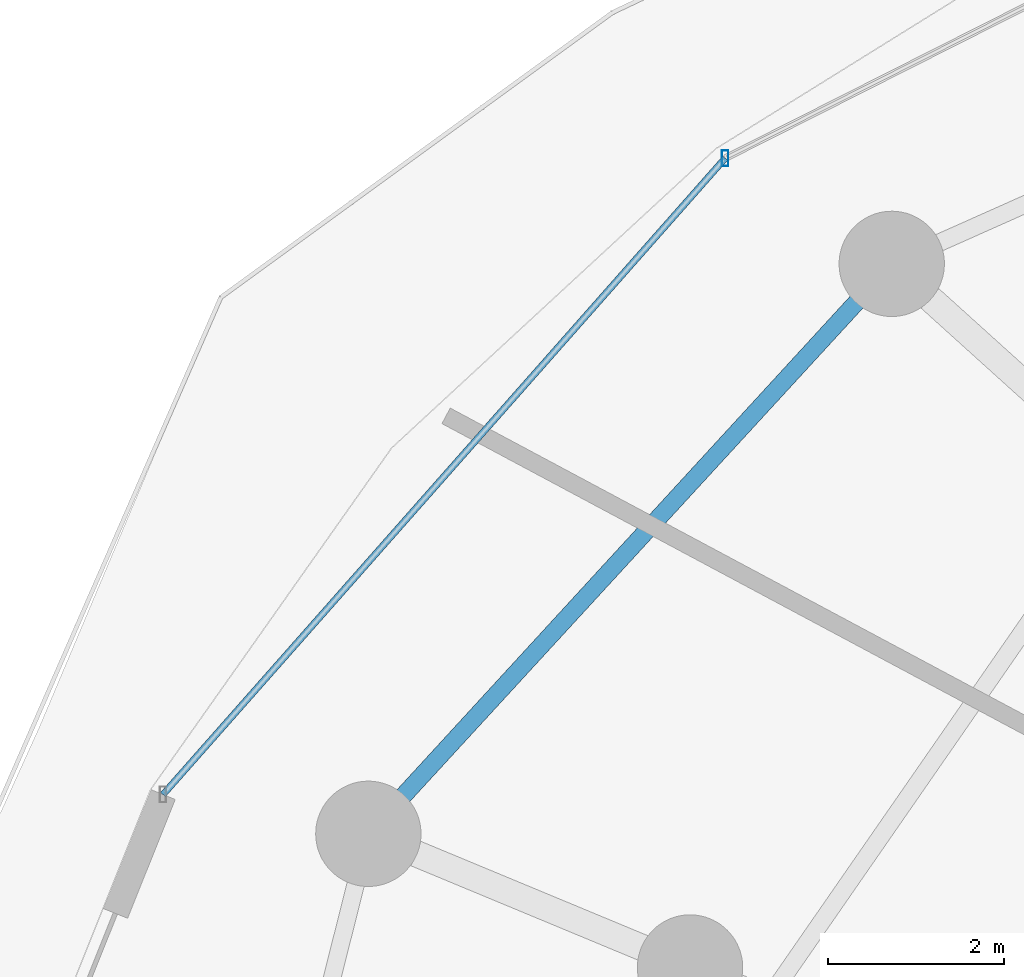
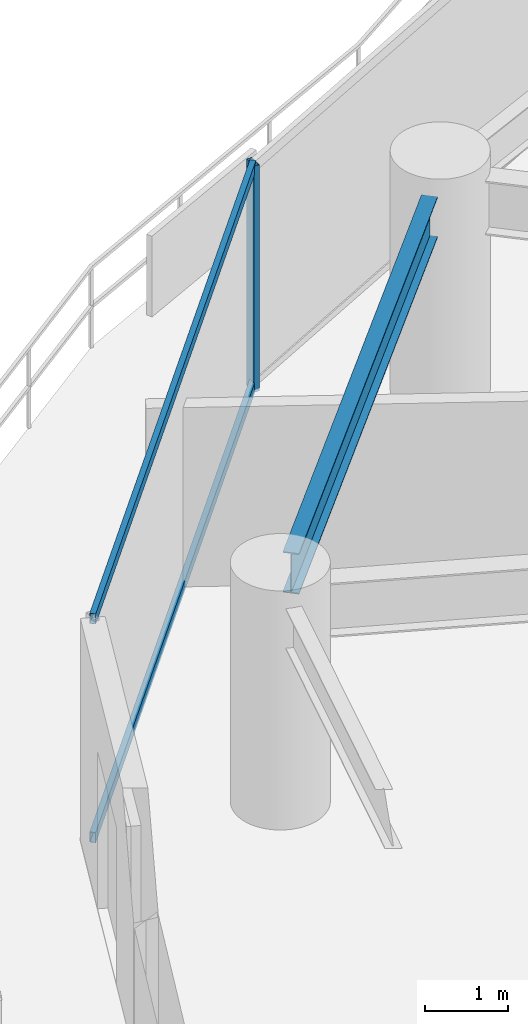
# One storey, part 19 of 34: 3 members, 1 beam, 1 element without a shape of its own.
"""IFC4 building model written with IfcOpenShell, lengths in metres."""

from ifc_helpers import new_model, si_unit, direction, frame, origin, origin_2d, place, context, subcontext, project, spatial, hollow_rectangle, i_section, extrude, material, material_profile, profile_set, type_object, element, aggregate, save


model = new_model("IFC4")

# Units and contexts
model_context = context("Model", 3, precision=1e-05, world=origin(), true_north=direction((0.0, 1.0)))
body_context = subcontext(model_context, "Body", "Model", "MODEL_VIEW")
ifc_project = project(units=[si_unit("LENGTHUNIT", "METRE"), si_unit("AREAUNIT", "SQUARE_METRE"), si_unit("VOLUMEUNIT", "CUBIC_METRE"), si_unit("PLANEANGLEUNIT", "RADIAN"), si_unit("MASSUNIT", "GRAM", prefix="KILO")], contexts=[model_context])

# Site, building, storey
site_placement = place(None, origin())
site = spatial("IfcSite", under=ifc_project, at=site_placement, CompositionType="ELEMENT")
building_placement = place(site_placement, origin())
building = spatial("IfcBuilding", under=site, at=building_placement, Name="Vorneva Point Tower", CompositionType="ELEMENT")
storey_placement = place(building_placement, frame((0.0, 0.0, 62.5)))
storey = spatial("IfcBuildingStorey", under=building, at=storey_placement, Name="L16", CompositionType="ELEMENT", Elevation=62.5)

# Beam
ifc_material_1 = material(Name="Steel S355", Category="steel")
ifc_material_profile_1 = material_profile(ifc_material_1, i_section(OverallWidth=0.198974609375, OverallDepth=0.595947265625, WebThickness=0.010009765625, FlangeThickness=0.014892578125, at=origin_2d()), Name="60B1")
ifc_profile_set_1 = profile_set([ifc_material_profile_1], Name="Steel S355")
beam_type = type_object("IfcBeamType", Name="BM-SPN-60B1", PredefinedType="SPANDREL", material=ifc_profile_set_1)
beam_placement = place(storey_placement, frame((18.60693359375, 40.1689453125, 2.94189453125), z_axis=(-0.676359049176, -0.736572085133, 0.0), x_axis=(0.736572085133, -0.676359049176, 0.0)))
element("IfcBeam", 1, at=beam_placement, inside=storey, type_object=beam_type, Name="L16 Perimeter Spandrel Ring Beam 07", PredefinedType="SPANDREL", context=body_context, shape_type="SweptSolid", body=[
    extrude(i_section(OverallWidth=0.198974609375, OverallDepth=0.595947265625, WebThickness=0.010009765625, FlangeThickness=0.014892578125, at=origin_2d()), origin(), (0.0, 0.0, 1.0), 7.64697265625),
])

# Curtain wall, members
ifc_material_2 = material(Name="Pale anodised aluminium", Category="aluminium")
curtain_wall_type = type_object("IfcCurtainWallType", Name="CW-HTL-SYS", PredefinedType="NOTDEFINED", material=ifc_material_2)
curtain_wall_placement = place(storey_placement, origin())
curtain_wall = element("IfcCurtainWall", 2, at=curtain_wall_placement, inside=storey, type_object=curtain_wall_type, Name="L16 Unitised Curtain Wall CW-L16-R02", PredefinedType="NOTDEFINED")
ifc_material_profile_2 = material_profile(ifc_material_2, hollow_rectangle(XDim=0.074951171875, YDim=0.179931640625, WallThickness=0.00390625, at=origin_2d()), Name="AL-MUL 180x75x4")
ifc_profile_set_2 = profile_set([ifc_material_profile_2], Name="Pale anodised aluminium")
member_type_1 = type_object("IfcMemberType", Name="CW-MUL-180", PredefinedType="MULLION", material=ifc_profile_set_2)
member_1_placement = place(storey_placement, frame((17.10498046875, 41.8037109375, -0.0400390625), z_axis=(0.0, 0.0, 1.0), x_axis=(1.0, 0.0, 0.0)))
member_1 = element("IfcMember", 3, at=member_1_placement, type_object=member_type_1, Name="CW-L16-R02 Mullion 05", PredefinedType="MULLION", context=body_context, shape_type="SweptSolid", body=[
    extrude(hollow_rectangle(XDim=0.074951171875, YDim=0.179931640625, WallThickness=0.00390625, at=origin_2d()), origin(), (0.0, 0.0, 1.0), 3.31005859375),
])
ifc_material_profile_3 = material_profile(ifc_material_2, hollow_rectangle(XDim=0.074951171875, YDim=0.14990234375, WallThickness=0.00390625, at=origin_2d()), Name="AL-TRN 150x75x4")
ifc_profile_set_3 = profile_set([ifc_material_profile_3], Name="Pale anodised aluminium")
member_type_2 = type_object("IfcMemberType", Name="CW-TRN-150", PredefinedType="USERDEFINED", material=ifc_profile_set_3)
member_2_placement = place(storey_placement, frame((17.10498046875, 41.8037109375, 0.02001953125), z_axis=(-0.662075539029, -0.749437109182, 0.0), x_axis=(0.749437109182, -0.662075539029, 0.0)))
member_2 = element("IfcMember", 4, at=member_2_placement, type_object=member_type_2, Name="CW-L16-R02 Transom 05.1", ObjectType="TRANSOM", PredefinedType="USERDEFINED", context=body_context, shape_type="SweptSolid", body=[
    extrude(hollow_rectangle(XDim=0.074951171875, YDim=0.14990234375, WallThickness=0.00390625, at=origin_2d()), origin(), (0.0, 0.0, 1.0), 9.6748046875),
])
member_3_placement = place(storey_placement, frame((17.10498046875, 41.8037109375, 3.219970703125), z_axis=(-0.662075539029, -0.749437109182, 0.0), x_axis=(0.749437109182, -0.662075539029, 0.0)))
member_3 = element("IfcMember", 5, at=member_3_placement, type_object=member_type_2, Name="CW-L16-R02 Transom 05.2", ObjectType="TRANSOM", PredefinedType="USERDEFINED", context=body_context, shape_type="SweptSolid", body=[
    extrude(hollow_rectangle(XDim=0.074951171875, YDim=0.14990234375, WallThickness=0.00390625, at=origin_2d()), origin(), (0.0, 0.0, 1.0), 9.6748046875),
])
aggregate(curtain_wall, [member_1, member_2, member_3])

save(model, "model.ifc")
